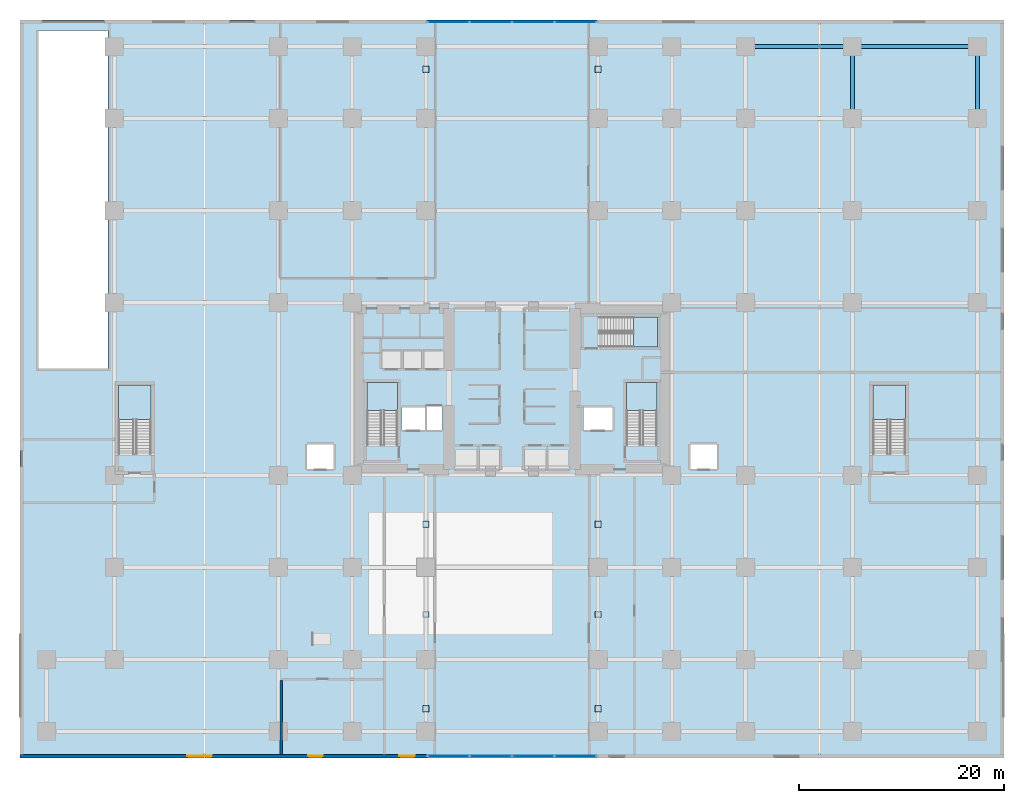
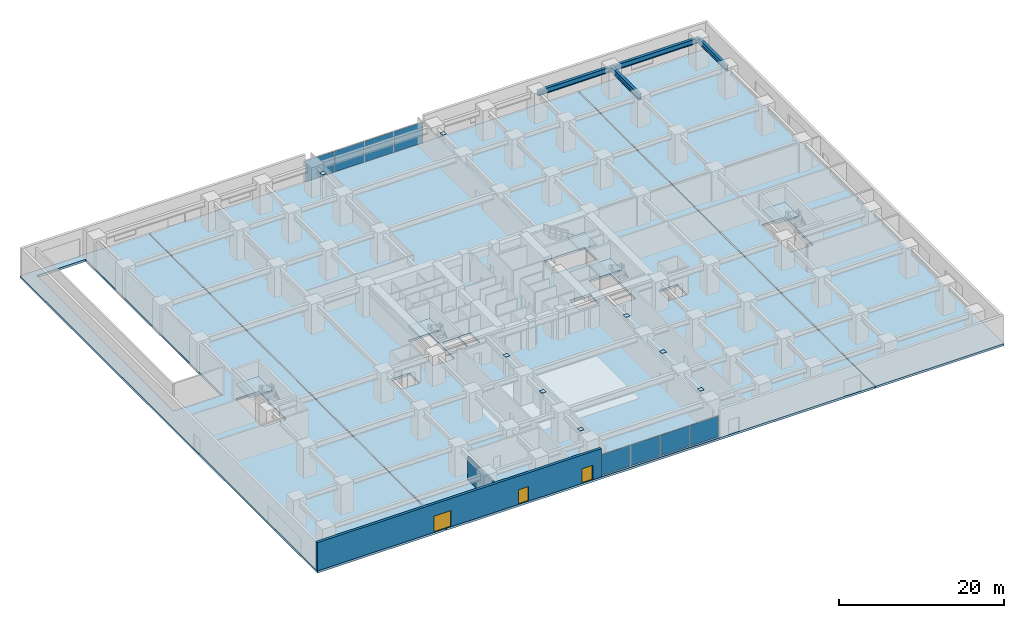
# One storey, part 12 of 26: 16 plates, 8 slabs, 4 beams, 3 doors, 2 walls, 3 openings, 7 elements without a shape of their own.
"""IFC4 building model written with IfcOpenShell, lengths in metres."""

from ifc_helpers import new_model, si_unit, direction, frame, frame_2d, origin, origin_2d, place, context, subcontext, project, spatial, polyline, rectangle, i_section, outline, extrude, material, layer, layer_set, material_profile, profile_set, type_object, element, fill, aggregate, save


model = new_model("IFC4")

# Units and contexts
model_context = context("Model", 3, precision=1e-05, world=origin(), true_north=direction((0.0, 1.0)))
body_context = subcontext(model_context, "Body", "Model", "MODEL_VIEW")
ifc_project = project(units=[si_unit("LENGTHUNIT", "METRE"), si_unit("AREAUNIT", "SQUARE_METRE"), si_unit("VOLUMEUNIT", "CUBIC_METRE"), si_unit("PLANEANGLEUNIT", "RADIAN"), si_unit("MASSUNIT", "GRAM", prefix="KILO")], contexts=[model_context])

# Site, building, storey
site_placement = place(None, origin())
site = spatial("IfcSite", under=ifc_project, at=site_placement, CompositionType="ELEMENT")
building_placement = place(site_placement, origin())
building = spatial("IfcBuilding", under=site, at=building_placement, Name="Kiyonajd Concourse Tower", CompositionType="ELEMENT")
storey_placement = place(building_placement, origin())
storey = spatial("IfcBuildingStorey", under=building, at=storey_placement, Name="L01", CompositionType="ELEMENT", Elevation=0.0)

# Beams
ifc_material_1 = material(Name="Steel ASTM A992 Grade 50", Category="steel")
ifc_material_profile = material_profile(ifc_material_1, i_section(OverallWidth=0.381103515625, OverallDepth=0.77294921875, WebThickness=0.0166015625, FlangeThickness=0.027099609375, at=origin_2d()), Name="W760X257")
ifc_profile_set = profile_set([ifc_material_profile], Name="Steel ASTM A992 Grade 50")
beam_type = type_object("IfcBeamType", Name="BM-POD-760", PredefinedType="BEAM", material=ifc_profile_set)
beam_1_placement = place(storey_placement, frame((70.800048828125, 69.39990234375, 3.79345703125), z_axis=(1.0, 0.0, 0.0), x_axis=(0.0, 1.0, 0.0)))
element("IfcBeam", 1, at=beam_1_placement, inside=storey, type_object=beam_type, Name="L01 Podium Primary Beam", PredefinedType="BEAM", context=body_context, shape_type="SweptSolid", body=[
    extrude(i_section(OverallWidth=0.381103515625, OverallDepth=0.77294921875, WebThickness=0.0166015625, FlangeThickness=0.027099609375, at=origin_2d()), origin(), (0.0, 0.0, 1.0), 10.39990234375),
])
beam_2_placement = place(storey_placement, frame((81.199951171875, 69.39990234375, 3.79345703125), z_axis=(1.0, 0.0, 0.0), x_axis=(0.0, 1.0, 0.0)))
element("IfcBeam", 2, at=beam_2_placement, inside=storey, type_object=beam_type, Name="L01 Podium Primary Beam", PredefinedType="BEAM", context=body_context, shape_type="SweptSolid", body=[
    extrude(i_section(OverallWidth=0.381103515625, OverallDepth=0.77294921875, WebThickness=0.0166015625, FlangeThickness=0.027099609375, at=origin_2d()), origin(), (0.0, 0.0, 1.0), 12.199951171875),
])
for number, where, z_axis, x_axis, name in (
    (3, (81.199951171875, 62.39990234375, 3.79345703125), (0.0, 1.0, 0.0), (-1.0, 0.0, 0.0), "L01 Podium North South Beam"),
    (4, (93.39990234375, 62.39990234375, 3.79345703125), (0.0, 1.0, 0.0), (-1.0, 0.0, 0.0), "L01 Podium North South Beam"),
):
    element("IfcBeam", number, at=place(storey_placement, frame(where, z_axis=z_axis, x_axis=x_axis)), inside=storey, type_object=beam_type, Name=name, PredefinedType="BEAM", context=body_context, shape_type="SweptSolid", body=[
        extrude(i_section(OverallWidth=0.381103515625, OverallDepth=0.77294921875, WebThickness=0.0166015625, FlangeThickness=0.027099609375, at=origin_2d()), origin(), (0.0, 0.0, 1.0), 7.0),
    ])

# Plates
ifc_material_2 = material(Name="Steel ASTM A572 Grade 50", Category="steel")
ifc_layer_1 = layer(ifc_material_2, 0.030029296875)
ifc_layer_set_1 = layer_set([ifc_layer_1], Name="Steel ASTM A572 Grade 50")
plate_type_1 = type_object("IfcPlateType", Name="PL-CAP-600", PredefinedType="USERDEFINED", material=ifc_layer_set_1)
for number, where, z_axis, x_axis, name in (
    (5, (39.60009765625, 4.800048828125, 4.18017578125), (0.0, 0.0, 1.0), (1.0, 0.0, 0.0), "L01 Concourse Facade HSS Top Cap Plate"),
    (6, (39.60009765625, 14.0, 4.18017578125), (0.0, 0.0, 1.0), (1.0, 0.0, 0.0), "L01 Concourse Facade HSS Top Cap Plate"),
    (7, (39.60009765625, 22.800048828125, 4.18017578125), (0.0, 0.0, 1.0), (1.0, 0.0, 0.0), "L01 Concourse Facade HSS Top Cap Plate"),
    (8, (39.60009765625, 67.199951171875, 4.18017578125), (0.0, 0.0, 1.0), (1.0, 0.0, 0.0), "L01 Concourse Facade HSS Top Cap Plate"),
    (9, (56.39990234375, 4.800048828125, 4.18017578125), (0.0, 0.0, 1.0), (1.0, 0.0, 0.0), "L01 Concourse Facade HSS Top Cap Plate"),
    (10, (56.39990234375, 14.0, 4.18017578125), (0.0, 0.0, 1.0), (1.0, 0.0, 0.0), "L01 Concourse Facade HSS Top Cap Plate"),
    (11, (56.39990234375, 22.800048828125, 4.18017578125), (0.0, 0.0, 1.0), (1.0, 0.0, 0.0), "L01 Concourse Facade HSS Top Cap Plate"),
    (12, (56.39990234375, 67.199951171875, 4.18017578125), (0.0, 0.0, 1.0), (1.0, 0.0, 0.0), "L01 Concourse Facade HSS Top Cap Plate"),
):
    element("IfcPlate", number, at=place(storey_placement, frame(where, z_axis=z_axis, x_axis=x_axis)), inside=storey, type_object=plate_type_1, Name=name, ObjectType="CAP PLATE", PredefinedType="USERDEFINED", context=body_context, shape_type="SweptSolid", body=[
        extrude(rectangle(XDim=0.60009765625, YDim=0.60009765625, at=origin_2d()), origin(), (0.0, 0.0, 1.0), 0.030029296875),
    ])

# Curtain wall, plates
ifc_material_3 = material(Name="Thermally Broken Anodised Aluminium", Category="aluminium")
ifc_layer_2 = layer(ifc_material_3, 0.179931640625)
ifc_layer_set_2 = layer_set([ifc_layer_2], Name="Thermally Broken Anodised Aluminium")
curtain_wall_type = type_object("IfcCurtainWallType", Name="CW-SYS-01", PredefinedType="NOTDEFINED", material=ifc_layer_set_2)
curtain_wall_1_placement = place(storey_placement, origin())
curtain_wall_1 = element("IfcCurtainWall", 13, at=curtain_wall_1_placement, inside=storey, type_object=curtain_wall_type, Name="L01 Unitised Curtain Wall CW1", PredefinedType="NOTDEFINED")
ifc_material_4 = material(Name="Double Low-E Insulated Glass", Category="glass")
ifc_layer_3 = layer(ifc_material_4, 0.0400390625)
ifc_layer_set_3 = layer_set([ifc_layer_3], Name="Double Low-E Insulated Glass")
plate_type_2 = type_object("IfcPlateType", Name="PL-CW-VIS40", PredefinedType="CURTAIN_PANEL", material=ifc_layer_set_3)
plate_1_placement = place(storey_placement, frame((41.808837890625, 71.820068359375, 0.074951171875), z_axis=(0.0, 0.0, 1.0), x_axis=(1.0, 0.0, 0.0)))
plate_1 = element("IfcPlate", 14, at=plate_1_placement, type_object=plate_type_2, Name="CW1 panel 1.1", PredefinedType="CURTAIN_PANEL", context=body_context, shape_type="SweptSolid", body=[
    extrude(rectangle(XDim=4.027587890625, YDim=0.0400390625, at=origin_2d()), origin(), (0.0, 0.0, 1.0), 3.080078125),
])
plate_2_placement = place(storey_placement, frame((45.929931640625, 71.820068359375, 0.074951171875), z_axis=(0.0, 0.0, 1.0), x_axis=(1.0, 0.0, 0.0)))
plate_2 = element("IfcPlate", 15, at=plate_2_placement, type_object=plate_type_2, Name="CW1 panel 2.1", PredefinedType="CURTAIN_PANEL", context=body_context, shape_type="SweptSolid", body=[
    extrude(rectangle(XDim=4.06494140625, YDim=0.0400390625, at=origin_2d()), origin(), (0.0, 0.0, 1.0), 3.080078125),
])
plate_3_placement = place(storey_placement, frame((50.070068359375, 71.820068359375, 0.074951171875), z_axis=(0.0, 0.0, 1.0), x_axis=(1.0, 0.0, 0.0)))
plate_3 = element("IfcPlate", 16, at=plate_3_placement, type_object=plate_type_2, Name="CW1 panel 3.1", PredefinedType="CURTAIN_PANEL", context=body_context, shape_type="SweptSolid", body=[
    extrude(rectangle(XDim=4.06494140625, YDim=0.0400390625, at=origin_2d()), origin(), (0.0, 0.0, 1.0), 3.080078125),
])
plate_4_placement = place(storey_placement, frame((54.191162109375, 71.820068359375, 0.074951171875), z_axis=(0.0, 0.0, 1.0), x_axis=(1.0, 0.0, 0.0)))
plate_4 = element("IfcPlate", 17, at=plate_4_placement, type_object=plate_type_2, Name="CW1 panel 4.1", PredefinedType="CURTAIN_PANEL", context=body_context, shape_type="SweptSolid", body=[
    extrude(rectangle(XDim=4.027587890625, YDim=0.0400390625, at=origin_2d()), origin(), (0.0, 0.0, 1.0), 3.080078125),
])
aggregate(curtain_wall_1, [plate_1, plate_2, plate_3, plate_4])

curtain_wall_2_placement = place(storey_placement, origin())
curtain_wall_2 = element("IfcCurtainWall", 18, at=curtain_wall_2_placement, inside=storey, type_object=curtain_wall_type, Name="L01 Unitised Curtain Wall CW1", PredefinedType="NOTDEFINED")
plate_5_placement = place(storey_placement, frame((54.191162109375, 0.179931640625, 0.074951171875), z_axis=(0.0, 0.0, 1.0), x_axis=(-1.0, 0.0, 0.0)))
plate_5 = element("IfcPlate", 19, at=plate_5_placement, type_object=plate_type_2, Name="CW1 panel 1.1", PredefinedType="CURTAIN_PANEL", context=body_context, shape_type="SweptSolid", body=[
    extrude(rectangle(XDim=4.027587890625, YDim=0.0400390625, at=origin_2d()), origin(), (0.0, 0.0, 1.0), 3.080078125),
])
plate_6_placement = place(storey_placement, frame((50.070068359375, 0.179931640625, 0.074951171875), z_axis=(0.0, 0.0, 1.0), x_axis=(-1.0, 0.0, 0.0)))
plate_6 = element("IfcPlate", 20, at=plate_6_placement, type_object=plate_type_2, Name="CW1 panel 2.1", PredefinedType="CURTAIN_PANEL", context=body_context, shape_type="SweptSolid", body=[
    extrude(rectangle(XDim=4.06494140625, YDim=0.0400390625, at=origin_2d()), origin(), (0.0, 0.0, 1.0), 3.080078125),
])
plate_7_placement = place(storey_placement, frame((45.929931640625, 0.179931640625, 0.074951171875), z_axis=(0.0, 0.0, 1.0), x_axis=(-1.0, 0.0, 0.0)))
plate_7 = element("IfcPlate", 21, at=plate_7_placement, type_object=plate_type_2, Name="CW1 panel 3.1", PredefinedType="CURTAIN_PANEL", context=body_context, shape_type="SweptSolid", body=[
    extrude(rectangle(XDim=4.06494140625, YDim=0.0400390625, at=origin_2d()), origin(), (0.0, 0.0, 1.0), 3.080078125),
])
plate_8_placement = place(storey_placement, frame((41.808837890625, 0.179931640625, 0.074951171875), z_axis=(0.0, 0.0, 1.0), x_axis=(-1.0, 0.0, 0.0)))
plate_8 = element("IfcPlate", 22, at=plate_8_placement, type_object=plate_type_2, Name="CW1 panel 4.1", PredefinedType="CURTAIN_PANEL", context=body_context, shape_type="SweptSolid", body=[
    extrude(rectangle(XDim=4.027587890625, YDim=0.0400390625, at=origin_2d()), origin(), (0.0, 0.0, 1.0), 3.080078125),
])
aggregate(curtain_wall_2, [plate_5, plate_6, plate_7, plate_8])

# Stair, slab
ifc_material_5 = material(Name="Concrete C40/50", Category="concrete")
stair_type_1 = type_object("IfcStairType", Name="ST-DLG-26R", PredefinedType="HALF_TURN_STAIR", material=ifc_material_5)
stair_1_placement = place(storey_placement, origin())
stair_1 = element("IfcStair", 23, at=stair_1_placement, inside=storey, type_object=stair_type_1, Name="L01 Protected Exit Stair ST1", PredefinedType="HALF_TURN_STAIR")
ifc_layer_4 = layer(ifc_material_5, 0.199951171875)
ifc_layer_set_4 = layer_set([ifc_layer_4], Name="Concrete C40/50")
slab_type_1 = type_object("IfcSlabType", Name="SL-LND-200", PredefinedType="LANDING", material=ifc_layer_set_4)
slab_1_placement = place(storey_placement, frame((0.0, 0.0, 2.050048828125)))
slab_1 = element("IfcSlab", 24, at=slab_1_placement, type_object=slab_type_1, Name="ST1 landing 1", PredefinedType="LANDING", context=body_context, shape_type="SweptSolid", body=[
    extrude(outline(polyline([(36.85009765625, 33.909912109375), (36.85009765625, 36.64990234375), (33.85009765625, 36.64990234375), (33.85009765625, 33.909912109375), (36.85009765625, 33.909912109375)])), origin(), (0.0, 0.0, 1.0), 0.199951171875),
])
aggregate(stair_1, [slab_1])

stair_2_placement = place(storey_placement, origin())
stair_2 = element("IfcStair", 25, at=stair_2_placement, inside=storey, type_object=stair_type_1, Name="L01 Protected Exit Stair ST2", PredefinedType="HALF_TURN_STAIR")
slab_2_placement = place(storey_placement, frame((0.0, 0.0, 2.050048828125)))
slab_2 = element("IfcSlab", 26, at=slab_2_placement, type_object=slab_type_1, Name="ST2 landing 1", PredefinedType="LANDING", context=body_context, shape_type="SweptSolid", body=[
    extrude(outline(polyline([(62.14990234375, 33.909912109375), (62.14990234375, 36.64990234375), (59.14990234375, 36.64990234375), (59.14990234375, 33.909912109375), (62.14990234375, 33.909912109375)])), origin(), (0.0, 0.0, 1.0), 0.199951171875),
])
aggregate(stair_2, [slab_2])

stair_3_placement = place(storey_placement, origin())
stair_3 = element("IfcStair", 27, at=stair_3_placement, inside=storey, type_object=stair_type_1, Name="L01 Protected Exit Stair ST3", PredefinedType="HALF_TURN_STAIR")
slab_3_placement = place(storey_placement, frame((0.0, 0.0, 2.050048828125)))
slab_3 = element("IfcSlab", 28, at=slab_3_placement, type_object=slab_type_1, Name="ST3 landing 1", PredefinedType="LANDING", context=body_context, shape_type="SweptSolid", body=[
    extrude(outline(polyline([(59.840087890625, 40.080078125), (62.179931640625, 40.080078125), (62.179931640625, 43.02001953125), (59.840087890625, 43.02001953125), (59.840087890625, 40.080078125)])), origin(), (0.0, 0.0, 1.0), 0.199951171875),
])
aggregate(stair_3, [slab_3])

stair_type_2 = type_object("IfcStairType", Name="ST-POD-1500", PredefinedType="HALF_TURN_STAIR", material=ifc_material_5)
stair_4_placement = place(storey_placement, origin())
stair_4 = element("IfcStair", 29, at=stair_4_placement, inside=storey, type_object=stair_type_2, Name="L01 West Podium Exit Stair ST4", PredefinedType="HALF_TURN_STAIR")
slab_4_placement = place(storey_placement, frame((0.0, 0.0, 2.050048828125)))
slab_4 = element("IfcSlab", 30, at=slab_4_placement, type_object=slab_type_1, Name="ST4 landing 1", PredefinedType="LANDING", context=body_context, shape_type="SweptSolid", body=[
    extrude(outline(polyline([(12.800048828125, 33.010009765625), (12.800048828125, 36.39990234375), (9.60009765625, 36.39990234375), (9.60009765625, 33.010009765625), (12.800048828125, 33.010009765625)])), origin(), (0.0, 0.0, 1.0), 0.199951171875),
])
aggregate(stair_4, [slab_4])

stair_5_placement = place(storey_placement, origin())
stair_5 = element("IfcStair", 31, at=stair_5_placement, inside=storey, type_object=stair_type_2, Name="L01 East Podium Exit Stair ST5", PredefinedType="HALF_TURN_STAIR")
slab_5_placement = place(storey_placement, frame((0.0, 0.0, 2.050048828125)))
slab_5 = element("IfcSlab", 32, at=slab_5_placement, type_object=slab_type_1, Name="ST5 landing 1", PredefinedType="LANDING", context=body_context, shape_type="SweptSolid", body=[
    extrude(outline(polyline([(86.39990234375, 33.010009765625), (86.39990234375, 36.39990234375), (83.199951171875, 36.39990234375), (83.199951171875, 33.010009765625), (86.39990234375, 33.010009765625)])), origin(), (0.0, 0.0, 1.0), 0.199951171875),
])
aggregate(stair_5, [slab_5])

# Slabs
ifc_layer_5 = layer(ifc_material_5, 0.320068359375)
ifc_layer_set_5 = layer_set([ifc_layer_5], Name="Concrete C40/50")
slab_type_2 = type_object("IfcSlabType", Name="SL-POD-320", PredefinedType="FLOOR", material=ifc_layer_set_5)
slab_6_placement = place(storey_placement, frame((0.0, 0.0, -0.320068359375)))
element("IfcSlab", 33, at=slab_6_placement, inside=storey, type_object=slab_type_2, Name="L01 West Wing Podium Structural Floor Slab", PredefinedType="FLOOR", context=body_context, shape_type="SweptSolid", body=[
    extrude(outline(polyline([(0.0, 0.0), (17.93994140625, 0.0), (17.93994140625, 72.0), (0.0, 72.0), (0.0, 0.0)]), holes=[polyline([(12.800048828125, 29.64990234375), (9.60009765625, 29.64990234375), (9.60009765625, 36.39990234375), (12.800048828125, 36.39990234375), (12.800048828125, 29.64990234375)]), polyline([(8.60009765625, 38.0), (1.800048828125, 38.0), (1.800048828125, 71.0), (8.60009765625, 71.0), (8.60009765625, 38.0)])]), origin(), (0.0, 0.0, 1.0), 0.320068359375),
])
slab_7_placement = place(storey_placement, frame((0.0, 0.0, -0.320068359375)))
element("IfcSlab", 34, at=slab_7_placement, inside=storey, type_object=slab_type_2, Name="L01 Central Tower Zone Podium Structural Floor Slab", PredefinedType="FLOOR", context=body_context, shape_type="SweptSolid", body=[
    extrude(outline(polyline([(18.06005859375, 0.0), (77.93994140625, 0.0), (77.93994140625, 72.0), (18.06005859375, 72.0), (18.06005859375, 0.0)]), holes=[polyline([(30.60009765625, 28.199951171875), (28.0, 28.199951171875), (28.0, 30.60009765625), (30.60009765625, 30.60009765625), (30.60009765625, 28.199951171875)]), polyline([(39.5, 32.0), (37.199951171875, 32.0), (37.199951171875, 34.199951171875), (39.5, 34.199951171875), (39.5, 32.0)]), polyline([(39.60009765625, 32.0), (39.60009765625, 34.300048828125), (41.199951171875, 34.300048828125), (41.199951171875, 32.0), (39.60009765625, 32.0)]), polyline([(33.85009765625, 30.550048828125), (33.85009765625, 36.64990234375), (36.85009765625, 36.64990234375), (36.85009765625, 30.550048828125), (33.85009765625, 30.550048828125)]), polyline([(65.39990234375, 28.199951171875), (65.39990234375, 30.60009765625), (68.0, 30.60009765625), (68.0, 28.199951171875), (65.39990234375, 28.199951171875)]), polyline([(57.800048828125, 32.0), (55.0, 32.0), (55.0, 34.199951171875), (57.800048828125, 34.199951171875), (57.800048828125, 32.0)]), polyline([(59.14990234375, 30.550048828125), (59.14990234375, 36.64990234375), (62.14990234375, 36.64990234375), (62.14990234375, 30.550048828125), (59.14990234375, 30.550048828125)]), polyline([(56.47998046875, 43.02001953125), (62.179931640625, 43.02001953125), (62.179931640625, 40.080078125), (56.47998046875, 40.080078125), (56.47998046875, 43.02001953125)])]), origin(), (0.0, 0.0, 1.0), 0.320068359375),
])
slab_8_placement = place(storey_placement, frame((0.0, 0.0, -0.320068359375)))
element("IfcSlab", 35, at=slab_8_placement, inside=storey, type_object=slab_type_2, Name="L01 East Wing Podium Structural Floor Slab", PredefinedType="FLOOR", context=body_context, shape_type="SweptSolid", body=[
    extrude(outline(polyline([(78.06005859375, 0.0), (96.0, 0.0), (96.0, 72.0), (78.06005859375, 72.0), (78.06005859375, 0.0)]), holes=[polyline([(83.199951171875, 29.64990234375), (83.199951171875, 36.39990234375), (86.39990234375, 36.39990234375), (86.39990234375, 29.64990234375), (83.199951171875, 29.64990234375)])]), origin(), (0.0, 0.0, 1.0), 0.320068359375),
])

# Wall, openings, doors
ifc_material_6 = material(Name="Precast concrete C50/60", Category="concrete")
ifc_layer_6 = layer(ifc_material_6, 0.360107421875)
ifc_layer_set_6 = layer_set([ifc_layer_6], Name="Precast concrete C50/60")
wall_type_1 = type_object("IfcWallType", Name="WL-EXT-360", PredefinedType="SOLIDWALL", material=ifc_layer_set_6)
wall_1_placement = place(storey_placement, frame((39.719970703125, 0.179931640625, 0.0), z_axis=(0.0, 0.0, 1.0), x_axis=(-1.0, 0.0, 0.0)))
wall_1 = element("IfcWall", 36, at=wall_1_placement, inside=storey, type_object=wall_type_1, Name="L01 South West Podium Facade Wall", PredefinedType="SOLIDWALL", context=body_context, shape_type="SweptSolid", body=[
    extrude(rectangle(XDim=39.719970703125, YDim=0.360107421875, at=frame_2d((19.85986328125, 0.0))), origin(), (0.0, 0.0, 1.0), 4.179931640625),
])
opening_1_placement = place(wall_1_placement, frame((1.199951171875, 0.0, 0.0)))
opening_1 = element("IfcOpeningElement", 37, at=opening_1_placement, cuts=wall_1, Name="Opening DEX1", PredefinedType="OPENING", context=body_context, shape_type="SweptSolid", body=[
    extrude(rectangle(XDim=1.5, YDim=2.14990234375, at=frame_2d((0.75, 1.074951171875))), frame((0.0, 0.18994140625, 0.0), z_axis=(0.0, -1.0, 0.0), x_axis=(1.0, 0.0, 0.0)), (0.0, 0.0, 1.0), 0.380126953125),
])
opening_2_placement = place(wall_1_placement, frame((21.0, 0.0, 0.0)))
opening_2 = element("IfcOpeningElement", 38, at=opening_2_placement, cuts=wall_1, Name="Opening DCN1", PredefinedType="OPENING", context=body_context, shape_type="SweptSolid", body=[
    extrude(rectangle(XDim=2.39990234375, YDim=2.39990234375, at=frame_2d((1.199951171875, 1.199951171875))), frame((0.0, 0.18994140625, 0.0), z_axis=(0.0, -1.0, 0.0), x_axis=(1.0, 0.0, 0.0)), (0.0, 0.0, 1.0), 0.380126953125),
])
opening_3_placement = place(wall_1_placement, frame((10.199951171875, 0.0, 0.0)))
opening_3 = element("IfcOpeningElement", 39, at=opening_3_placement, cuts=wall_1, Name="Opening DRT1", PredefinedType="OPENING", context=body_context, shape_type="SweptSolid", body=[
    extrude(rectangle(XDim=1.39990234375, YDim=2.14990234375, at=frame_2d((0.699951171875, 1.074951171875))), frame((0.0, 0.18994140625, 0.0), z_axis=(0.0, -1.0, 0.0), x_axis=(1.0, 0.0, 0.0)), (0.0, 0.0, 1.0), 0.380126953125),
])
door_type_1 = type_object("IfcDoorType", Name="DR-CON-2400", OperationType="DOUBLE_DOOR_SINGLE_SWING", PredefinedType="DOOR", material=ifc_material_3)
door_1_placement = place(opening_2_placement, origin())
door_1 = element("IfcDoor", 40, at=door_1_placement, inside=storey, type_object=door_type_1, Name="L01 South Reception Concourse Entrance Door", OperationType="DOUBLE_DOOR_SINGLE_SWING", OverallHeight=2.39990234375, OverallWidth=2.39990234375, PredefinedType="DOOR", context=body_context, shape_type="SweptSolid", body=[
    extrude(rectangle(XDim=2.39990234375, YDim=2.39990234375, at=frame_2d((1.199951171875, 1.199951171875))), frame((0.0, 0.02490234375, 0.0), z_axis=(0.0, -1.0, 0.0), x_axis=(1.0, 0.0, 0.0)), (0.0, 0.0, 1.0), 0.050048828125),
])
fill(opening_2, door_1)
door_type_2 = type_object("IfcDoorType", Name="DR-EXIT-1500", OperationType="DOUBLE_DOOR_SINGLE_SWING", PredefinedType="DOOR", material=ifc_material_3)
door_2_placement = place(opening_1_placement, origin())
door_2 = element("IfcDoor", 41, at=door_2_placement, inside=storey, type_object=door_type_2, Name="L01 Protected Exit Passage ST1 Discharge Door", OperationType="DOUBLE_DOOR_SINGLE_SWING", OverallHeight=2.14990234375, OverallWidth=1.5, PredefinedType="DOOR", context=body_context, shape_type="SweptSolid", body=[
    extrude(rectangle(XDim=1.5, YDim=2.14990234375, at=frame_2d((0.75, 1.074951171875))), frame((0.0, 0.02490234375, 0.0), z_axis=(0.0, -1.0, 0.0), x_axis=(1.0, 0.0, 0.0)), (0.0, 0.0, 1.0), 0.050048828125),
])
fill(opening_1, door_2)
door_type_3 = type_object("IfcDoorType", Name="DR-RET-1400", OperationType="NOTDEFINED", PredefinedType="DOOR", material=ifc_material_3)
door_3_placement = place(opening_3_placement, origin())
door_3 = element("IfcDoor", 42, at=door_3_placement, inside=storey, type_object=door_type_3, Name="L01 Fire Command Center Brigade Entrance Door", OperationType="SINGLE_SWING_LEFT", OverallHeight=2.14990234375, OverallWidth=1.39990234375, PredefinedType="DOOR", context=body_context, shape_type="SweptSolid", body=[
    extrude(rectangle(XDim=1.39990234375, YDim=2.14990234375, at=frame_2d((0.699951171875, 1.074951171875))), frame((0.0, 0.02490234375, 0.0), z_axis=(0.0, -1.0, 0.0), x_axis=(1.0, 0.0, 0.0)), (0.0, 0.0, 1.0), 0.050048828125),
])
fill(opening_3, door_3)

# Wall
ifc_material_7 = material(Name="Gypsum Board on Cold-Formed Steel Stud", Category="steel")
ifc_layer_7 = layer(ifc_material_7, 0.22998046875)
ifc_layer_set_7 = layer_set([ifc_layer_7], Name="Gypsum Board on Cold-Formed Steel Stud")
wall_type_2 = type_object("IfcWallType", Name="WL-FIRE-230", PredefinedType="PARTITIONING", material=ifc_layer_set_7)
wall_2_placement = place(storey_placement, frame((25.5, 0.35498046875, 0.0), z_axis=(0.0, 0.0, 1.0), x_axis=(0.0, 1.0, 0.0)))
element("IfcWall", 43, at=wall_2_placement, inside=storey, type_object=wall_type_2, Name="L01 Interior Partition Wall", PredefinedType="PARTITIONING", context=body_context, shape_type="SweptSolid", body=[
    extrude(rectangle(XDim=7.22802734375, YDim=0.22998046875, at=frame_2d((3.614013671875, 0.0))), origin(), (0.0, 0.0, 1.0), 3.39208984375),
])

save(model, "model.ifc")
